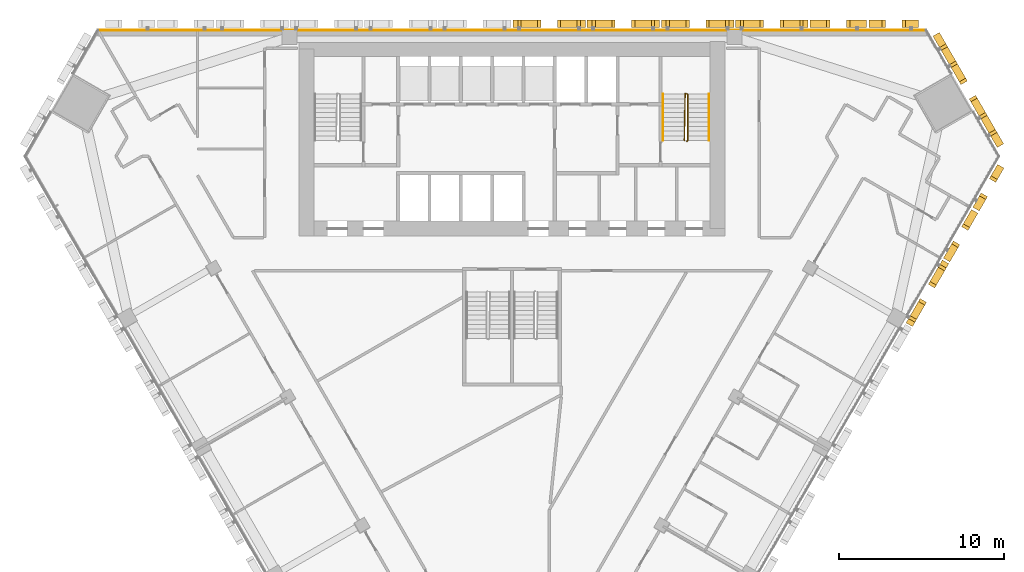
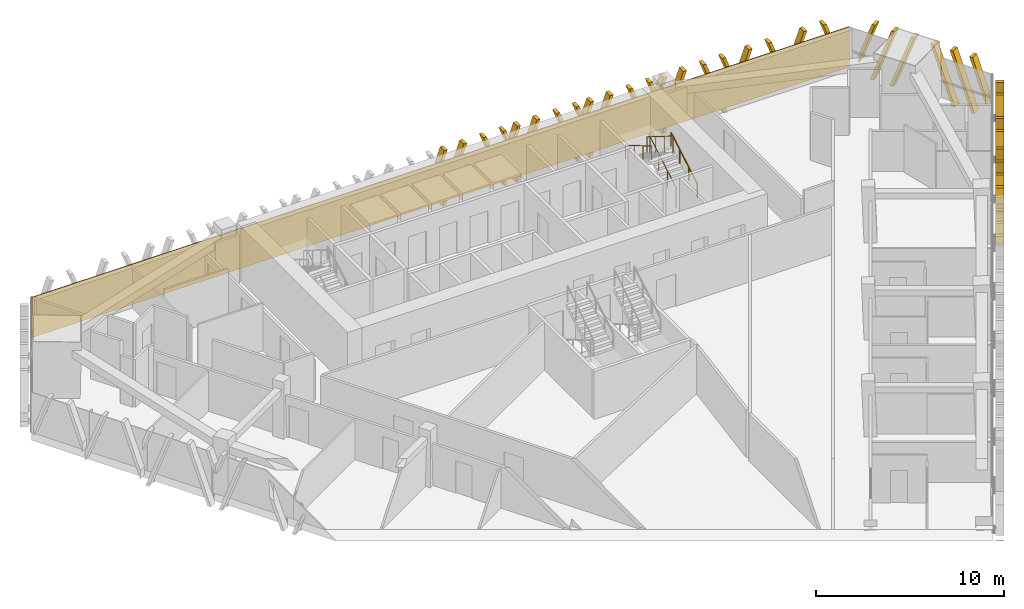
# One storey, part 15 of 16: 10 shading devices, 3 railings, 1 covering.
"""IFC4 building model written with IfcOpenShell, lengths in metres."""

from ifc_helpers import new_model, si_unit, direction, frame, frame_2d, origin, origin_2d, place, context, subcontext, project, spatial, polyline, rectangle, circle, outline, extrude, source, transform, mapped, material, layer, layer_set, type_object, element, save


model = new_model("IFC4")

# Units and contexts
model_context = context("Model", 3, precision=1e-05, world=origin(), true_north=direction((0.0, 1.0)))
body_context = subcontext(model_context, "Body", "Model", "MODEL_VIEW")
ifc_project = project(units=[si_unit("LENGTHUNIT", "METRE"), si_unit("AREAUNIT", "SQUARE_METRE"), si_unit("VOLUMEUNIT", "CUBIC_METRE"), si_unit("PLANEANGLEUNIT", "RADIAN"), si_unit("MASSUNIT", "GRAM", prefix="KILO")], contexts=[model_context])

# Site, building, storey
site_placement = place(None, origin())
site = spatial("IfcSite", under=ifc_project, at=site_placement, CompositionType="ELEMENT")
building_placement = place(site_placement, origin())
building = spatial("IfcBuilding", under=site, at=building_placement, Name="Altiplano Prism Tower", CompositionType="ELEMENT")
storey_placement = place(building_placement, frame((0.0, 0.0, 81.0)))
storey = spatial("IfcBuildingStorey", under=building, at=storey_placement, Name="L20", CompositionType="ELEMENT", Elevation=81.0)

# Railings
ifc_material_1 = material(Name="Steel S355", Category="steel")
railing_type_1 = type_object("IfcRailingType", Name="Stair guard 1100", PredefinedType="GUARDRAIL", material=ifc_material_1)
railing_1_placement = place(storey_placement, frame((95.60009765625, 98.25, 0.0)))
element("IfcRailing", 1, at=railing_1_placement, inside=storey, type_object=railing_type_1, Name="L20 ST2 stair guard 1", PredefinedType="GUARDRAIL", context=body_context, shape_type="SweptSolid", body=[
    extrude(circle(Radius=0.02392578125, at=origin_2d()), frame((0.0, 0.0, 1.076171875), z_axis=(0.279546231943, 0.280916556609, 0.91811752648), x_axis=(-0.708833529934, 0.705375805398, 0.0)), (0.0, 0.0, 1.0), 0.17822265625),
    extrude(circle(Radius=0.02392578125, at=origin_2d()), frame((0.0498046875, 0.050048828125, 1.23974609375), z_axis=(0.0, 0.863360870873, 0.504586966384), x_axis=(-1.0, 0.0, 0.0)), (0.0, 0.0, 1.0), 3.2431640625),
    extrude(circle(Radius=0.02392578125, at=origin_2d()), frame((0.0498046875, 2.85009765625, 2.8759765625), z_axis=(-0.948991962702, 0.315300261223, 0.0), x_axis=(-0.315300261223, -0.948991962702, 0.0)), (0.0, 0.0, 1.0), 0.157958984375),
    extrude(circle(Radius=0.02392578125, at=origin_2d()), frame((-0.10009765625, 2.89990234375, 2.8759765625), z_axis=(-0.014846418356, -0.845376787675, 0.533964109957), x_axis=(0.999845825584, -0.017559187376, 0.0)), (0.0, 0.0, 1.0), 3.37109375),
    extrude(circle(Radius=0.02099609375, at=origin_2d()), origin(), (0.0, 0.0, 1.0), 1.052001953125),
    extrude(circle(Radius=0.02099609375, at=origin_2d()), frame((0.0498046875, 0.050048828125, 0.16357421875)), (0.0, 0.0, 1.0), 1.052001953125),
    extrude(circle(Radius=0.02099609375, at=origin_2d()), frame((0.0498046875, 0.9833984375, 0.708984375)), (0.0, 0.0, 1.0), 1.052001953125),
    extrude(circle(Radius=0.02099609375, at=origin_2d()), frame((0.0498046875, 1.916748046875, 1.254638671875)), (0.0, 0.0, 1.0), 1.052001953125),
    extrude(circle(Radius=0.02099609375, at=origin_2d()), frame((0.0498046875, 2.85009765625, 1.800048828125)), (0.0, 0.0, 1.0), 1.052001953125),
    extrude(circle(Radius=0.02099609375, at=origin_2d()), frame((-0.10009765625, 2.89990234375, 1.800048828125)), (0.0, 0.0, 1.0), 1.052001953125),
    extrude(circle(Radius=0.02099609375, at=origin_2d()), frame((-0.11669921875, 1.949951171875, 2.400146484375)), (0.0, 0.0, 1.0), 1.052001953125),
    extrude(circle(Radius=0.02099609375, at=origin_2d()), frame((-0.133544921875, 1.0, 3.0)), (0.0, 0.0, 1.0), 1.052001953125),
    extrude(circle(Radius=0.02099609375, at=origin_2d()), frame((-0.150146484375, 0.050048828125, 3.60009765625)), (0.0, 0.0, 1.0), 1.052001953125),
])
railing_type_2 = type_object("IfcRailingType", Name="Stair handrail 900", PredefinedType="HANDRAIL", material=ifc_material_1)
railing_2_placement = place(storey_placement, frame((96.949951171875, 98.300048828125, 0.16357421875)))
element("IfcRailing", 2, at=railing_2_placement, inside=storey, type_object=railing_type_2, Name="L20 ST2 stair handrail 1", PredefinedType="HANDRAIL", context=body_context, shape_type="SweptSolid", body=[
    extrude(circle(Radius=0.02392578125, at=origin_2d()), frame((0.0, 0.0, 0.8759765625), z_axis=(0.0, 0.863360870873, 0.504586966384), x_axis=(-1.0, 0.0, 0.0)), (0.0, 0.0, 1.0), 3.2431640625),
    extrude(circle(Radius=0.02099609375, at=origin_2d()), origin(), (0.0, 0.0, 1.0), 0.851806640625),
    extrude(circle(Radius=0.02099609375, at=origin_2d()), frame((0.0, 0.933349609375, 0.54541015625)), (0.0, 0.0, 1.0), 0.851806640625),
    extrude(circle(Radius=0.02099609375, at=origin_2d()), frame((0.0, 1.86669921875, 1.091064453125)), (0.0, 0.0, 1.0), 0.851806640625),
    extrude(circle(Radius=0.02099609375, at=origin_2d()), frame((0.0, 2.800048828125, 1.636474609375)), (0.0, 0.0, 1.0), 0.851806640625),
])
railing_3_placement = place(storey_placement, frame((94.14990234375, 101.10009765625, 1.963623046875)))
element("IfcRailing", 3, at=railing_3_placement, inside=storey, type_object=railing_type_2, Name="L20 ST2 stair handrail 2", PredefinedType="HANDRAIL", context=body_context, shape_type="SweptSolid", body=[
    extrude(circle(Radius=0.02392578125, at=origin_2d()), frame((0.0, 0.0, 0.8759765625), z_axis=(0.0, -0.863360870873, 0.504586966384), x_axis=(1.0, 0.0, 0.0)), (0.0, 0.0, 1.0), 3.2431640625),
    extrude(circle(Radius=0.02099609375, at=origin_2d()), origin(), (0.0, 0.0, 1.0), 0.851806640625),
    extrude(circle(Radius=0.02099609375, at=origin_2d()), frame((0.0, -0.933349609375, 0.54541015625)), (0.0, 0.0, 1.0), 0.851806640625),
    extrude(circle(Radius=0.02099609375, at=origin_2d()), frame((0.0, -1.86669921875, 1.091064453125)), (0.0, 0.0, 1.0), 0.851806640625),
    extrude(circle(Radius=0.02099609375, at=origin_2d()), frame((0.0, -2.800048828125, 1.636474609375)), (0.0, 0.0, 1.0), 0.851806640625),
])

# Covering
ifc_material_2 = material(Name="Warm limestone cast stone", Category="masonry")
ifc_layer = layer(ifc_material_2, 0.06005859375)
ifc_layer_set = layer_set([ifc_layer], Name="Warm limestone cast stone")
covering_type = type_object("IfcCoveringType", Name="Stone cladding 60", PredefinedType="CLADDING", material=ifc_layer_set)
covering_placement = place(storey_placement, frame((59.8720703125, 104.969970703125, 0.0), z_axis=(0.0, 0.0, 1.0), x_axis=(1.0, 0.0, 0.0)))
element("IfcCovering", 4, at=covering_placement, inside=storey, type_object=covering_type, Name="Stone cladding north face L20", PredefinedType="CLADDING", context=body_context, shape_type="SweptSolid", body=[
    extrude(rectangle(XDim=50.255859375, YDim=0.06005859375, at=frame_2d((25.1279296875, 0.0))), origin(), (0.0, 0.0, 1.0), 2.60009765625),
])

# Shading devices
shading_device_type_1 = type_object("IfcShadingDeviceType", Name="Stone fin panel, standard unit", PredefinedType="USERDEFINED", material=ifc_material_2)
shared_shape_1 = source(origin(), body_context, "Body", "SweptSolid", [
    extrude(outline(polyline([(-2.199951171875, 2.226318359375), (-1.699951171875, 3.60009765625), (-1.89990234375, 3.60009765625), (-2.199951171875, 2.77587890625), (-2.199951171875, 2.226318359375)])), frame((0.0, -0.14990234375, 0.0), z_axis=(0.0, -1.0, 0.0), x_axis=(1.0, 0.0, 0.0)), (0.0, 0.0, 1.0), 0.4501953125),
    extrude(outline(polyline([(-2.01025390625, 0.0), (-1.810302734375, 0.0), (-0.5, 3.60009765625), (-0.699951171875, 3.60009765625), (-2.01025390625, 0.0)])), frame((0.0, -0.14990234375, 0.0), z_axis=(0.0, -1.0, 0.0), x_axis=(1.0, 0.0, 0.0)), (0.0, 0.0, 1.0), 0.4501953125),
    extrude(outline(polyline([(1.810302734375, 0.0), (2.01025390625, 0.0), (0.699951171875, 3.60009765625), (0.5, 3.60009765625), (1.810302734375, 0.0)])), frame((0.0, -0.14990234375, 0.0), z_axis=(0.0, -1.0, 0.0), x_axis=(1.0, 0.0, 0.0)), (0.0, 0.0, 1.0), 0.4501953125),
    extrude(outline(polyline([(2.199951171875, 2.77587890625), (1.89990234375, 3.60009765625), (1.699951171875, 3.60009765625), (2.199951171875, 2.226318359375), (2.199951171875, 2.77587890625)])), frame((0.0, -0.14990234375, 0.0), z_axis=(0.0, -1.0, 0.0), x_axis=(1.0, 0.0, 0.0)), (0.0, 0.0, 1.0), 0.4501953125),
])
shading_device_1_placement = place(storey_placement, origin())
element("IfcShadingDevice", 5, at=shading_device_1_placement, inside=storey, type_object=shading_device_type_1, Name="Fin L20 north face 3", ObjectType="FIN", PredefinedType="USERDEFINED", context=body_context, shape_type="MappedRepresentation", body=[
    mapped(shared_shape_1, transform((100.75, 105.0, -0.5), x_axis=(-1.0, 0.0, 0.0), y_axis=(0.0, -1.0, 0.0), z_axis=(0.0, 0.0, 1.0))),
])
shading_device_2_placement = place(storey_placement, origin())
element("IfcShadingDevice", 6, at=shading_device_2_placement, inside=storey, type_object=shading_device_type_1, Name="Fin L20 north face 4", ObjectType="FIN", PredefinedType="USERDEFINED", context=body_context, shape_type="MappedRepresentation", body=[
    mapped(shared_shape_1, transform((96.25, 105.0, -0.5), x_axis=(-1.0, 0.0, 0.0), y_axis=(0.0, -1.0, 0.0), z_axis=(0.0, 0.0, 1.0))),
])
shading_device_3_placement = place(storey_placement, origin())
element("IfcShadingDevice", 7, at=shading_device_3_placement, inside=storey, type_object=shading_device_type_1, Name="Fin L20 north face 5", ObjectType="FIN", PredefinedType="USERDEFINED", context=body_context, shape_type="MappedRepresentation", body=[
    mapped(shared_shape_1, transform((91.75, 105.0, -0.5), x_axis=(-1.0, 0.0, 0.0), y_axis=(0.0, -1.0, 0.0), z_axis=(0.0, 0.0, 1.0))),
])
shading_device_4_placement = place(storey_placement, origin())
element("IfcShadingDevice", 8, at=shading_device_4_placement, inside=storey, type_object=shading_device_type_1, Name="Fin L20 north face 6", ObjectType="FIN", PredefinedType="USERDEFINED", context=body_context, shape_type="MappedRepresentation", body=[
    mapped(shared_shape_1, transform((87.25, 105.0, -0.5), x_axis=(-1.0, 0.0, 0.0), y_axis=(0.0, -1.0, 0.0), z_axis=(0.0, 0.0, 1.0))),
])
shading_device_5_placement = place(storey_placement, origin())
element("IfcShadingDevice", 9, at=shading_device_5_placement, inside=storey, type_object=shading_device_type_1, Name="Fin L20 south-east face 10", ObjectType="FIN", PredefinedType="USERDEFINED", context=body_context, shape_type="MappedRepresentation", body=[
    mapped(shared_shape_1, transform((109.861572265625, 89.218017578125, -0.5), x_axis=(0.500000006139, 0.86602540024, 0.0), y_axis=(-0.86602540024, 0.500000006139, 0.0), z_axis=(0.0, 0.0, 1.0))),
])
shading_device_type_2 = type_object("IfcShadingDeviceType", Name="Stone fin panel, narrow closing bay", PredefinedType="USERDEFINED", material=ifc_material_2)
shared_shape_2 = source(origin(), body_context, "Body", "SweptSolid", [
    extrude(outline(polyline([(-1.699951171875, 0.302978515625), (-0.5, 3.60009765625), (-0.699951171875, 3.60009765625), (-1.699951171875, 0.8525390625), (-1.699951171875, 0.302978515625)])), frame((0.0, -0.14990234375, 0.0), z_axis=(0.0, -1.0, 0.0), x_axis=(1.0, 0.0, 0.0)), (0.0, 0.0, 1.0), 0.4501953125),
    extrude(outline(polyline([(1.699951171875, 0.8525390625), (0.699951171875, 3.60009765625), (0.5, 3.60009765625), (1.699951171875, 0.302978515625), (1.699951171875, 0.8525390625)])), frame((0.0, -0.14990234375, 0.0), z_axis=(0.0, -1.0, 0.0), x_axis=(1.0, 0.0, 0.0)), (0.0, 0.0, 1.0), 0.4501953125),
])
shading_device_6_placement = place(storey_placement, origin())
element("IfcShadingDevice", 10, at=shading_device_6_placement, inside=storey, type_object=shading_device_type_2, Name="Fin L20 north face 2", ObjectType="FIN", PredefinedType="USERDEFINED", context=body_context, shape_type="MappedRepresentation", body=[
    mapped(shared_shape_2, transform((104.781982421875, 105.0, -0.5), x_axis=(-1.0, 0.0, 0.0), y_axis=(0.0, -1.0, 0.0), z_axis=(0.0, 0.0, 1.0))),
])
shading_device_7_placement = place(storey_placement, origin())
element("IfcShadingDevice", 11, at=shading_device_7_placement, inside=storey, type_object=shading_device_type_2, Name="Fin L20 south-east face 11", ObjectType="FIN", PredefinedType="USERDEFINED", context=body_context, shape_type="MappedRepresentation", body=[
    mapped(shared_shape_2, transform((111.877685546875, 92.7099609375, -0.5), x_axis=(0.500000006139, 0.86602540024, 0.0), y_axis=(-0.86602540024, 0.500000006139, 0.0), z_axis=(0.0, 0.0, 1.0))),
])
shared_shape_3 = source(origin(), body_context, "Body", "SweptSolid", [
    extrude(outline(polyline([(-1.5, 0.8525390625), (-0.5, 3.60009765625), (-0.699951171875, 3.60009765625), (-1.5, 1.402099609375), (-1.5, 0.8525390625)])), frame((0.0, -0.14990234375, 0.0), z_axis=(0.0, -1.0, 0.0), x_axis=(1.0, 0.0, 0.0)), (0.0, 0.0, 1.0), 0.4501953125),
    extrude(outline(polyline([(1.5, 1.402099609375), (0.699951171875, 3.60009765625), (0.5, 3.60009765625), (1.5, 0.8525390625), (1.5, 1.402099609375)])), frame((0.0, -0.14990234375, 0.0), z_axis=(0.0, -1.0, 0.0), x_axis=(1.0, 0.0, 0.0)), (0.0, 0.0, 1.0), 0.4501953125),
])
shading_device_8_placement = place(storey_placement, origin())
element("IfcShadingDevice", 12, at=shading_device_8_placement, inside=storey, type_object=shading_device_type_2, Name="Fin L20 north face 1", ObjectType="FIN", PredefinedType="USERDEFINED", context=body_context, shape_type="MappedRepresentation", body=[
    mapped(shared_shape_3, transform((108.14599609375, 105.0, -0.5), x_axis=(-1.0, 0.0, 0.0), y_axis=(0.0, -1.0, 0.0), z_axis=(0.0, 0.0, 1.0))),
])
shading_device_9_placement = place(storey_placement, origin())
element("IfcShadingDevice", 13, at=shading_device_9_placement, inside=storey, type_object=shading_device_type_2, Name="Fin L20 south-east face 12", ObjectType="FIN", PredefinedType="USERDEFINED", context=body_context, shape_type="MappedRepresentation", body=[
    mapped(shared_shape_3, transform((113.5595703125, 95.623046875, -0.5), x_axis=(0.500000006139, 0.86602540024, 0.0), y_axis=(-0.86602540024, 0.500000006139, 0.0), z_axis=(0.0, 0.0, 1.0))),
])
shading_device_type_3 = type_object("IfcShadingDeviceType", Name="Stone fin panel, chamfer unit", PredefinedType="USERDEFINED", material=ifc_material_2)
shared_shape_4 = source(origin(), body_context, "Body", "SweptSolid", [
    extrude(outline(polyline([(-3.89990234375, 0.8525390625), (-2.89990234375, 3.60009765625), (-3.10009765625, 3.60009765625), (-3.89990234375, 1.402099609375), (-3.89990234375, 0.8525390625)])), frame((0.0, -0.14990234375, 0.0), z_axis=(0.0, -1.0, 0.0), x_axis=(1.0, 0.0, 0.0)), (0.0, 0.0, 1.0), 0.4501953125),
    extrude(outline(polyline([(-3.210205078125, 0.0), (-3.01025390625, 0.0), (-1.699951171875, 3.60009765625), (-1.89990234375, 3.60009765625), (-3.210205078125, 0.0)])), frame((0.0, -0.14990234375, 0.0), z_axis=(0.0, -1.0, 0.0), x_axis=(1.0, 0.0, 0.0)), (0.0, 0.0, 1.0), 0.4501953125),
    extrude(outline(polyline([(-2.01025390625, 0.0), (-1.810302734375, 0.0), (-0.5, 3.60009765625), (-0.699951171875, 3.60009765625), (-2.01025390625, 0.0)])), frame((0.0, -0.14990234375, 0.0), z_axis=(0.0, -1.0, 0.0), x_axis=(1.0, 0.0, 0.0)), (0.0, 0.0, 1.0), 0.4501953125),
    extrude(outline(polyline([(1.810302734375, 0.0), (2.01025390625, 0.0), (0.699951171875, 3.60009765625), (0.5, 3.60009765625), (1.810302734375, 0.0)])), frame((0.0, -0.14990234375, 0.0), z_axis=(0.0, -1.0, 0.0), x_axis=(1.0, 0.0, 0.0)), (0.0, 0.0, 1.0), 0.4501953125),
    extrude(outline(polyline([(3.01025390625, 0.0), (3.210205078125, 0.0), (1.89990234375, 3.60009765625), (1.699951171875, 3.60009765625), (3.01025390625, 0.0)])), frame((0.0, -0.14990234375, 0.0), z_axis=(0.0, -1.0, 0.0), x_axis=(1.0, 0.0, 0.0)), (0.0, 0.0, 1.0), 0.4501953125),
    extrude(outline(polyline([(3.89990234375, 1.402099609375), (3.10009765625, 3.60009765625), (2.89990234375, 3.60009765625), (3.89990234375, 0.8525390625), (3.89990234375, 1.402099609375)])), frame((0.0, -0.14990234375, 0.0), z_axis=(0.0, -1.0, 0.0), x_axis=(1.0, 0.0, 0.0)), (0.0, 0.0, 1.0), 0.4501953125),
])
shading_device_10_placement = place(storey_placement, origin())
element("IfcShadingDevice", 14, at=shading_device_10_placement, inside=storey, type_object=shading_device_type_3, Name="Fin L20 north-east chamfer 1", ObjectType="FIN", PredefinedType="USERDEFINED", context=body_context, shape_type="MappedRepresentation", body=[
    mapped(shared_shape_4, transform((112.33935546875, 101.169921875, -0.5), x_axis=(-0.499999935135, 0.866025441234, 0.0), y_axis=(-0.866025441234, -0.499999935135, 0.0), z_axis=(0.0, 0.0, 1.0))),
])

save(model, "model.ifc")
